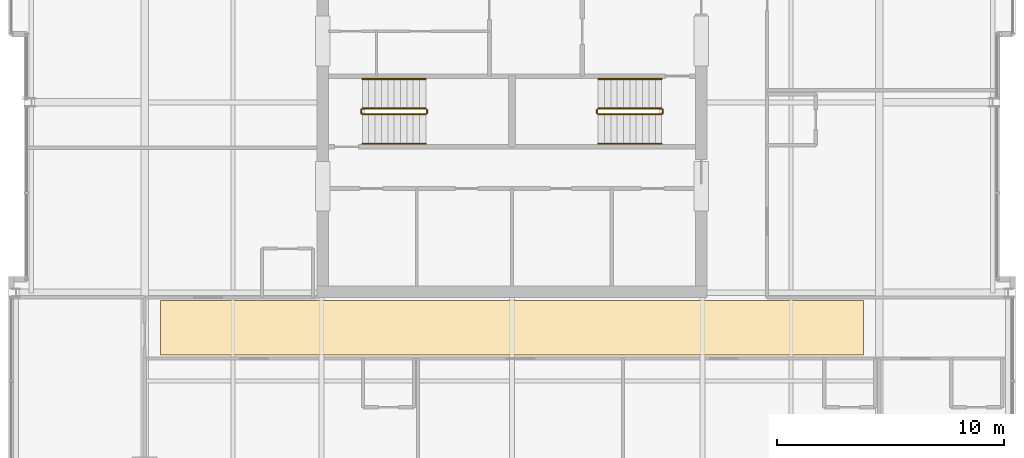
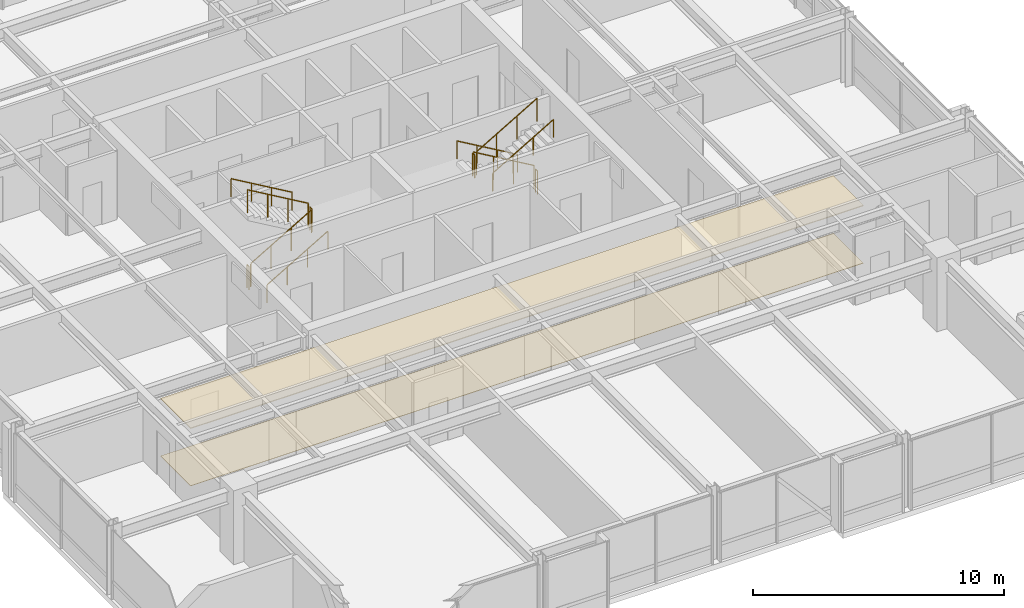
# One storey, part 30 of 31: 12 railings, 2 coverings.
"""IFC4 building model written with IfcOpenShell, lengths in metres."""

from ifc_helpers import new_model, si_unit, direction, frame, origin, origin_2d, place, context, subcontext, project, spatial, polyline, circle, outline, extrude, material, layer, layer_set, type_object, element, save


model = new_model("IFC4")

# Units and contexts
model_context = context("Model", 3, precision=1e-05, world=origin(), true_north=direction((0.0, 1.0)))
body_context = subcontext(model_context, "Body", "Model", "MODEL_VIEW")
ifc_project = project(units=[si_unit("LENGTHUNIT", "METRE"), si_unit("AREAUNIT", "SQUARE_METRE"), si_unit("VOLUMEUNIT", "CUBIC_METRE"), si_unit("PLANEANGLEUNIT", "RADIAN"), si_unit("MASSUNIT", "GRAM", prefix="KILO")], contexts=[model_context])

# Site, building, storey
site_placement = place(None, origin())
site = spatial("IfcSite", under=ifc_project, at=site_placement, CompositionType="ELEMENT")
building_placement = place(site_placement, origin())
building = spatial("IfcBuilding", under=site, at=building_placement, Name="Drelvath Grand Hotel", CompositionType="ELEMENT")
storey_placement = place(building_placement, frame((0.0, 0.0, 219.5)))
storey = spatial("IfcBuildingStorey", under=building, at=storey_placement, Name="L57", CompositionType="ELEMENT", Elevation=219.5)

# Railings
ifc_material_1 = material(Name="Painted Steel S275", Category="steel")
railing_type_1 = type_object("IfcRailingType", Name="Core Stair Wall Handrail 900", PredefinedType="HANDRAIL", material=ifc_material_1)
railing_1_placement = place(storey_placement, frame((-6.60009765625, 25.169921875, 0.16357421875)))
element("IfcRailing", 1, at=railing_1_placement, inside=storey, type_object=railing_type_1, Name="L57 ST-1 stair handrail 1", PredefinedType="HANDRAIL", context=body_context, shape_type="SweptSolid", body=[
    extrude(circle(Radius=0.02392578125, at=origin_2d()), frame((0.0, 0.0, 0.8759765625), z_axis=(0.863360870873, 0.0, 0.504586966384), x_axis=(0.0, 1.0, 0.0)), (0.0, 0.0, 1.0), 3.2431640625),
    extrude(circle(Radius=0.02099609375, at=origin_2d()), origin(), (0.0, 0.0, 1.0), 0.851806640625),
    extrude(circle(Radius=0.02099609375, at=origin_2d()), frame((0.933349609375, 0.0, 0.54541015625)), (0.0, 0.0, 1.0), 0.851806640625),
    extrude(circle(Radius=0.02099609375, at=origin_2d()), frame((1.86669921875, 0.0, 1.091064453125)), (0.0, 0.0, 1.0), 0.851806640625),
    extrude(circle(Radius=0.02099609375, at=origin_2d()), frame((2.800048828125, 0.0, 1.636474609375)), (0.0, 0.0, 1.0), 0.851806640625),
])
for number, where, name in (
    (2, (-3.800048828125, 28.030029296875, 1.963623046875), "L57 ST-1 stair handrail 2"),
    (3, (6.60009765625, 28.030029296875, 0.16357421875), "L57 ST-2 stair handrail 1"),
):
    element("IfcRailing", number, at=place(storey_placement, frame(where)), inside=storey, type_object=railing_type_1, Name=name, PredefinedType="HANDRAIL", context=body_context, shape_type="SweptSolid", body=[
        extrude(circle(Radius=0.02392578125, at=origin_2d()), frame((0.0, 0.0, 0.8759765625), z_axis=(-0.863360870873, 0.0, 0.504586966384), x_axis=(0.0, -1.0, 0.0)), (0.0, 0.0, 1.0), 3.2431640625),
        extrude(circle(Radius=0.02099609375, at=origin_2d()), origin(), (0.0, 0.0, 1.0), 0.851806640625),
        extrude(circle(Radius=0.02099609375, at=origin_2d()), frame((-0.933349609375, 0.0, 0.54541015625)), (0.0, 0.0, 1.0), 0.851806640625),
        extrude(circle(Radius=0.02099609375, at=origin_2d()), frame((-1.86669921875, 0.0, 1.091064453125)), (0.0, 0.0, 1.0), 0.851806640625),
        extrude(circle(Radius=0.02099609375, at=origin_2d()), frame((-2.800048828125, 0.0, 1.636474609375)), (0.0, 0.0, 1.0), 0.851806640625),
    ])
railing_2_placement = place(storey_placement, frame((3.800048828125, 25.169921875, 1.963623046875)))
element("IfcRailing", 4, at=railing_2_placement, inside=storey, type_object=railing_type_1, Name="L57 ST-2 stair handrail 2", PredefinedType="HANDRAIL", context=body_context, shape_type="SweptSolid", body=[
    extrude(circle(Radius=0.02392578125, at=origin_2d()), frame((0.0, 0.0, 0.8759765625), z_axis=(0.863360870873, 0.0, 0.504586966384), x_axis=(0.0, 1.0, 0.0)), (0.0, 0.0, 1.0), 3.2431640625),
    extrude(circle(Radius=0.02099609375, at=origin_2d()), origin(), (0.0, 0.0, 1.0), 0.851806640625),
    extrude(circle(Radius=0.02099609375, at=origin_2d()), frame((0.933349609375, 0.0, 0.54541015625)), (0.0, 0.0, 1.0), 0.851806640625),
    extrude(circle(Radius=0.02099609375, at=origin_2d()), frame((1.86669921875, 0.0, 1.091064453125)), (0.0, 0.0, 1.0), 0.851806640625),
    extrude(circle(Radius=0.02099609375, at=origin_2d()), frame((2.800048828125, 0.0, 1.636474609375)), (0.0, 0.0, 1.0), 0.851806640625),
])
railing_type_2 = type_object("IfcRailingType", Name="Core Stair Well Guardrail 1100", PredefinedType="GUARDRAIL", material=ifc_material_1)
railing_3_placement = place(storey_placement, frame((-6.60009765625, 26.469970703125, 0.16357421875)))
element("IfcRailing", 5, at=railing_3_placement, inside=storey, type_object=railing_type_2, Name="L57 ST-1 stair guard 1", PredefinedType="GUARDRAIL", context=body_context, shape_type="SweptSolid", body=[
    extrude(circle(Radius=0.02392578125, at=origin_2d()), frame((0.0, 0.0, 1.1259765625), z_axis=(0.863360870873, 0.0, 0.504586966384), x_axis=(0.0, 1.0, 0.0)), (0.0, 0.0, 1.0), 3.2431640625),
    extrude(circle(Radius=0.02099609375, at=origin_2d()), origin(), (0.0, 0.0, 1.0), 1.101806640625),
    extrude(circle(Radius=0.02099609375, at=origin_2d()), frame((0.933349609375, 0.0, 0.54541015625)), (0.0, 0.0, 1.0), 1.101806640625),
    extrude(circle(Radius=0.02099609375, at=origin_2d()), frame((1.86669921875, 0.0, 1.091064453125)), (0.0, 0.0, 1.0), 1.101806640625),
    extrude(circle(Radius=0.02099609375, at=origin_2d()), frame((2.800048828125, 0.0, 1.636474609375)), (0.0, 0.0, 1.0), 1.101806640625),
])
railing_4_placement = place(storey_placement, frame((-3.75, 26.52001953125, 1.800048828125)))
element("IfcRailing", 6, at=railing_4_placement, inside=storey, type_object=railing_type_2, Name="L57 ST-1 stair guard 2", PredefinedType="GUARDRAIL", context=body_context, shape_type="SweptSolid", body=[
    extrude(circle(Radius=0.02392578125, at=origin_2d()), frame((0.0, 0.0, 1.1259765625), z_axis=(0.0, 1.0, 0.0), x_axis=(-1.0, 0.0, 0.0)), (0.0, 0.0, 1.0), 0.159912109375),
    extrude(circle(Radius=0.02099609375, at=origin_2d()), origin(), (0.0, 0.0, 1.0), 1.101806640625),
    extrude(circle(Radius=0.02099609375, at=origin_2d()), frame((0.0, 0.159912109375, 0.0)), (0.0, 0.0, 1.0), 1.101806640625),
])
railing_5_placement = place(storey_placement, frame((-3.800048828125, 26.72998046875, 1.963623046875)))
element("IfcRailing", 7, at=railing_5_placement, inside=storey, type_object=railing_type_2, Name="L57 ST-1 stair guard 3", PredefinedType="GUARDRAIL", context=body_context, shape_type="SweptSolid", body=[
    extrude(circle(Radius=0.02392578125, at=origin_2d()), frame((0.0, 0.0, 1.1259765625), z_axis=(-0.863360870873, 0.0, 0.504586966384), x_axis=(0.0, -1.0, 0.0)), (0.0, 0.0, 1.0), 3.2431640625),
    extrude(circle(Radius=0.02099609375, at=origin_2d()), origin(), (0.0, 0.0, 1.0), 1.101806640625),
    extrude(circle(Radius=0.02099609375, at=origin_2d()), frame((-0.933349609375, 0.0, 0.54541015625)), (0.0, 0.0, 1.0), 1.101806640625),
    extrude(circle(Radius=0.02099609375, at=origin_2d()), frame((-1.86669921875, 0.0, 1.091064453125)), (0.0, 0.0, 1.0), 1.101806640625),
    extrude(circle(Radius=0.02099609375, at=origin_2d()), frame((-2.800048828125, 0.0, 1.636474609375)), (0.0, 0.0, 1.0), 1.101806640625),
])
railing_6_placement = place(storey_placement, frame((-6.64990234375, 26.52001953125, 0.0)))
element("IfcRailing", 8, at=railing_6_placement, inside=storey, type_object=railing_type_2, Name="L57 ST-1 stair guard 4", PredefinedType="GUARDRAIL", context=body_context, shape_type="SweptSolid", body=[
    extrude(circle(Radius=0.02392578125, at=origin_2d()), frame((0.0, 0.0, 1.1259765625), z_axis=(0.0, 1.0, 0.0), x_axis=(-1.0, 0.0, 0.0)), (0.0, 0.0, 1.0), 0.159912109375),
    extrude(circle(Radius=0.02099609375, at=origin_2d()), origin(), (0.0, 0.0, 1.0), 1.101806640625),
    extrude(circle(Radius=0.02099609375, at=origin_2d()), frame((0.0, 0.159912109375, 0.0)), (0.0, 0.0, 1.0), 1.101806640625),
])
railing_7_placement = place(storey_placement, frame((6.60009765625, 26.72998046875, 0.16357421875)))
element("IfcRailing", 9, at=railing_7_placement, inside=storey, type_object=railing_type_2, Name="L57 ST-2 stair guard 1", PredefinedType="GUARDRAIL", context=body_context, shape_type="SweptSolid", body=[
    extrude(circle(Radius=0.02392578125, at=origin_2d()), frame((0.0, 0.0, 1.1259765625), z_axis=(-0.863360870873, 0.0, 0.504586966384), x_axis=(0.0, -1.0, 0.0)), (0.0, 0.0, 1.0), 3.2431640625),
    extrude(circle(Radius=0.02099609375, at=origin_2d()), origin(), (0.0, 0.0, 1.0), 1.101806640625),
    extrude(circle(Radius=0.02099609375, at=origin_2d()), frame((-0.933349609375, 0.0, 0.54541015625)), (0.0, 0.0, 1.0), 1.101806640625),
    extrude(circle(Radius=0.02099609375, at=origin_2d()), frame((-1.86669921875, 0.0, 1.091064453125)), (0.0, 0.0, 1.0), 1.101806640625),
    extrude(circle(Radius=0.02099609375, at=origin_2d()), frame((-2.800048828125, 0.0, 1.636474609375)), (0.0, 0.0, 1.0), 1.101806640625),
])
railing_8_placement = place(storey_placement, frame((3.75, 26.679931640625, 1.800048828125)))
element("IfcRailing", 10, at=railing_8_placement, inside=storey, type_object=railing_type_2, Name="L57 ST-2 stair guard 2", PredefinedType="GUARDRAIL", context=body_context, shape_type="SweptSolid", body=[
    extrude(circle(Radius=0.02392578125, at=origin_2d()), frame((0.0, 0.0, 1.1259765625), z_axis=(0.0, -1.0, 0.0), x_axis=(1.0, 0.0, 0.0)), (0.0, 0.0, 1.0), 0.159912109375),
    extrude(circle(Radius=0.02099609375, at=origin_2d()), origin(), (0.0, 0.0, 1.0), 1.101806640625),
    extrude(circle(Radius=0.02099609375, at=origin_2d()), frame((0.0, -0.159912109375, 0.0)), (0.0, 0.0, 1.0), 1.101806640625),
])
railing_9_placement = place(storey_placement, frame((3.800048828125, 26.469970703125, 1.963623046875)))
element("IfcRailing", 11, at=railing_9_placement, inside=storey, type_object=railing_type_2, Name="L57 ST-2 stair guard 3", PredefinedType="GUARDRAIL", context=body_context, shape_type="SweptSolid", body=[
    extrude(circle(Radius=0.02392578125, at=origin_2d()), frame((0.0, 0.0, 1.1259765625), z_axis=(0.863360870873, 0.0, 0.504586966384), x_axis=(0.0, 1.0, 0.0)), (0.0, 0.0, 1.0), 3.2431640625),
    extrude(circle(Radius=0.02099609375, at=origin_2d()), origin(), (0.0, 0.0, 1.0), 1.101806640625),
    extrude(circle(Radius=0.02099609375, at=origin_2d()), frame((0.933349609375, 0.0, 0.54541015625)), (0.0, 0.0, 1.0), 1.101806640625),
    extrude(circle(Radius=0.02099609375, at=origin_2d()), frame((1.86669921875, 0.0, 1.091064453125)), (0.0, 0.0, 1.0), 1.101806640625),
    extrude(circle(Radius=0.02099609375, at=origin_2d()), frame((2.800048828125, 0.0, 1.636474609375)), (0.0, 0.0, 1.0), 1.101806640625),
])
railing_10_placement = place(storey_placement, frame((6.64990234375, 26.679931640625, 0.0)))
element("IfcRailing", 12, at=railing_10_placement, inside=storey, type_object=railing_type_2, Name="L57 ST-2 stair guard 4", PredefinedType="GUARDRAIL", context=body_context, shape_type="SweptSolid", body=[
    extrude(circle(Radius=0.02392578125, at=origin_2d()), frame((0.0, 0.0, 1.1259765625), z_axis=(0.0, -1.0, 0.0), x_axis=(1.0, 0.0, 0.0)), (0.0, 0.0, 1.0), 0.159912109375),
    extrude(circle(Radius=0.02099609375, at=origin_2d()), origin(), (0.0, 0.0, 1.0), 1.101806640625),
    extrude(circle(Radius=0.02099609375, at=origin_2d()), frame((0.0, -0.159912109375, 0.0)), (0.0, 0.0, 1.0), 1.101806640625),
])

# Coverings
ifc_material_2 = material(Name="Woven Wool Broadloom Carpet")
ifc_layer_1 = layer(ifc_material_2, 0.01806640625)
ifc_layer_set_1 = layer_set([ifc_layer_1], Name="Woven Wool Broadloom Carpet")
covering_type_1 = type_object("IfcCoveringType", Name="Hospitality Broadloom Carpet 18", PredefinedType="FLOORING", material=ifc_layer_set_1)
covering_1_placement = place(storey_placement, origin())
element("IfcCovering", 13, at=covering_1_placement, inside=storey, type_object=covering_type_1, Name="L57 Upper Gallery Carpet", PredefinedType="FLOORING", context=body_context, shape_type="SweptSolid", body=[
    extrude(outline(polyline([(15.5, 15.85009765625), (15.5, 18.25), (-15.5, 18.25), (-15.5, 15.85009765625), (15.5, 15.85009765625)])), origin(), (0.0, 0.0, 1.0), 0.01806640625),
])
ifc_material_3 = material(Name="Anodised Aluminium Alloy", Category="aluminium")
ifc_layer_2 = layer(ifc_material_3, 0.0400390625)
ifc_layer_set_2 = layer_set([ifc_layer_2], Name="Anodised Aluminium Alloy")
covering_type_2 = type_object("IfcCoveringType", Name="Perforated Metal Corridor Ceiling 40", PredefinedType="CEILING", material=ifc_layer_set_2)
covering_2_placement = place(storey_placement, frame((0.0, 0.0, 2.7900390625)))
element("IfcCovering", 14, at=covering_2_placement, inside=storey, type_object=covering_type_2, Name="L57 Upper Gallery Ceiling", PredefinedType="CEILING", context=body_context, shape_type="SweptSolid", body=[
    extrude(outline(polyline([(15.5, 15.85009765625), (15.5, 18.25), (-15.5, 18.25), (-15.5, 15.85009765625), (15.5, 15.85009765625)])), origin(), (0.0, 0.0, 1.0), 0.0400390625),
])

save(model, "model.ifc")
